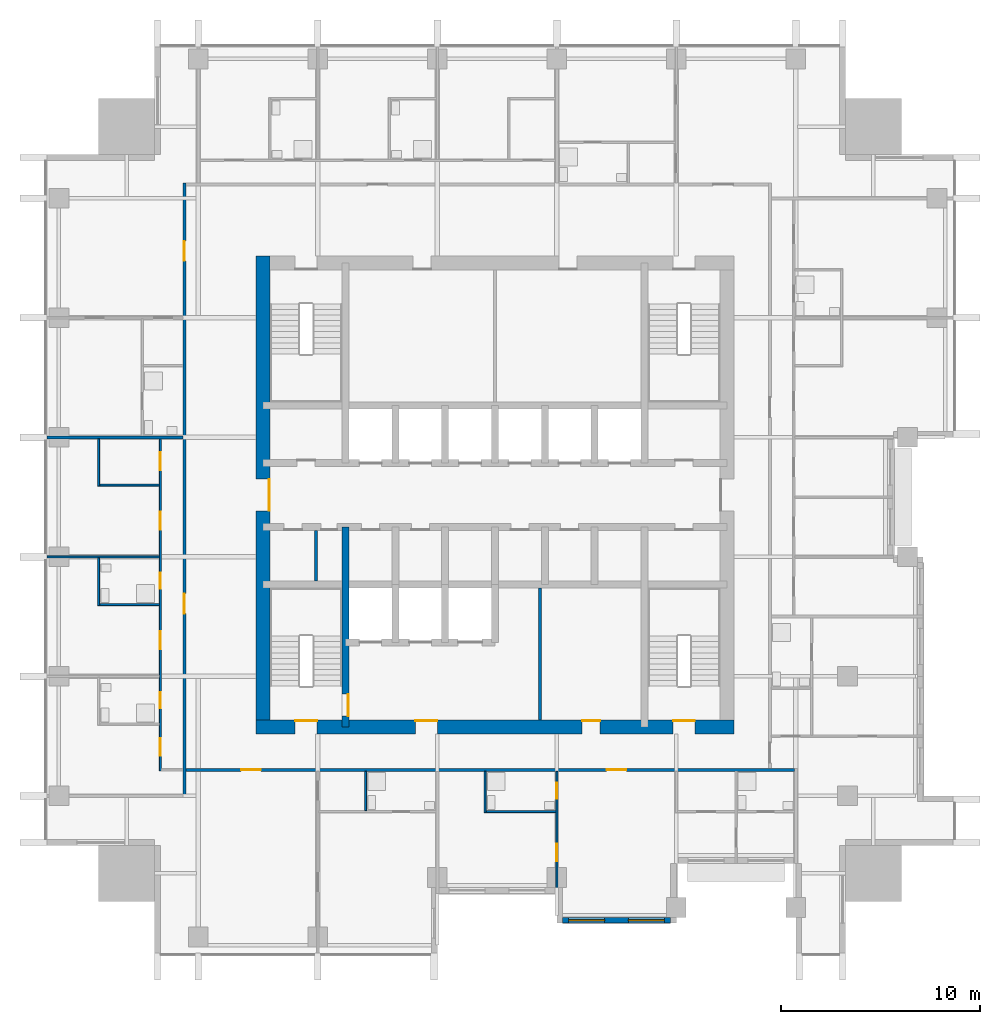
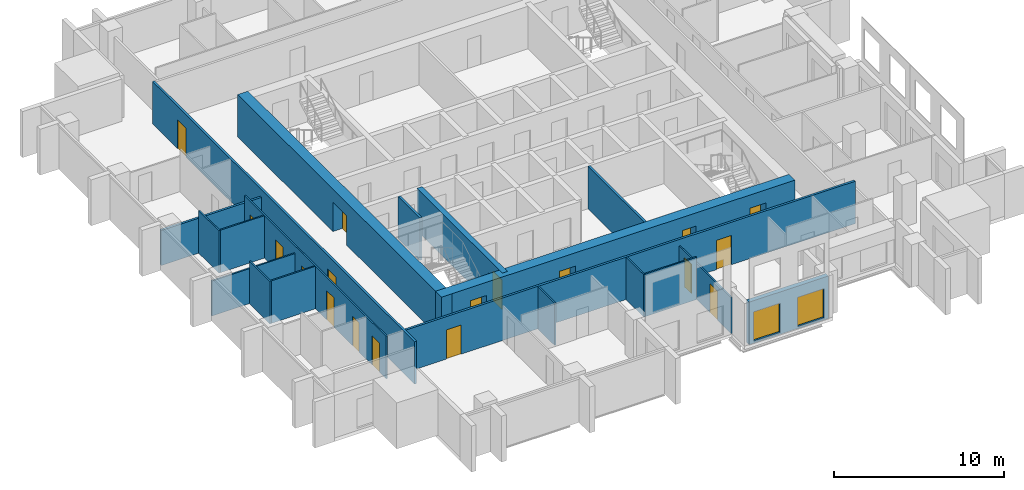
# One storey, part 4 of 11: 19 walls, 18 doors, 2 windows, 20 openings.
"""IFC4 building model written with IfcOpenShell, lengths in metres."""

from ifc_helpers import new_model, si_unit, direction, frame, frame_2d, origin, place, context, subcontext, project, spatial, rectangle, extrude, material, layer, layer_set, type_object, element, fill, save


model = new_model("IFC4")

# Units and contexts
model_context = context("Model", 3, precision=1e-05, world=origin(), true_north=direction((0.0, 1.0)))
body_context = subcontext(model_context, "Body", "Model", "MODEL_VIEW")
ifc_project = project(units=[si_unit("LENGTHUNIT", "METRE"), si_unit("AREAUNIT", "SQUARE_METRE"), si_unit("VOLUMEUNIT", "CUBIC_METRE"), si_unit("PLANEANGLEUNIT", "RADIAN"), si_unit("MASSUNIT", "GRAM", prefix="KILO")], contexts=[model_context])

# Site, building, storey
site_placement = place(None, origin())
site = spatial("IfcSite", under=ifc_project, at=site_placement, CompositionType="ELEMENT")
building_placement = place(site_placement, origin())
building = spatial("IfcBuilding", under=site, at=building_placement, Name="Amberfall Residences", CompositionType="ELEMENT")
storey_placement = place(building_placement, frame((0.0, 0.0, 171.39990234375)))
storey = spatial("IfcBuildingStorey", under=building, at=storey_placement, Name="L46", CompositionType="ELEMENT", Elevation=171.39990234375)

# Wall, openings, windows
ifc_material_1 = material(Name="Pale stone cladding on insulated backing", Category="masonry")
ifc_layer_1 = layer(ifc_material_1, 0.300048828125)
ifc_layer_set_1 = layer_set([ifc_layer_1], Name="Bronze clad wall 300")
wall_type_1 = type_object("IfcWallType", Name="Bronze clad wall 300", PredefinedType="SOLIDWALL", material=ifc_layer_set_1)
wall_1_placement = place(storey_placement, frame((77.89990234375, 24.14990234375, 0.0), z_axis=(0.0, 0.0, 1.0), x_axis=(1.0, 0.0, 0.0)))
wall_1 = element("IfcWall", 1, at=wall_1_placement, inside=storey, type_object=wall_type_1, Name="Stone wall L46 S", PredefinedType="SOLIDWALL", context=body_context, shape_type="SweptSolid", body=[
    extrude(rectangle(XDim=5.400146484375, YDim=0.300048828125, at=frame_2d((2.7001953125, 0.0))), origin(), (0.0, 0.0, 1.0), 3.050048828125),
])
opening_1_placement = place(wall_1_placement, frame((0.300048828125, 0.0, 0.14990234375)))
opening_1 = element("IfcOpeningElement", 2, at=opening_1_placement, cuts=wall_1, Name="Opening WN6", PredefinedType="OPENING", context=body_context, shape_type="SweptSolid", body=[
    extrude(rectangle(XDim=1.800048828125, YDim=2.10009765625, at=frame_2d((0.89990234375, 1.050048828125))), frame((0.0, 0.159912109375, 0.0), z_axis=(0.0, -1.0, 0.0), x_axis=(1.0, 0.0, 0.0)), (0.0, 0.0, 1.0), 0.320068359375),
])
opening_2_placement = place(wall_1_placement, frame((3.300048828125, 0.0, 0.14990234375)))
opening_2 = element("IfcOpeningElement", 3, at=opening_2_placement, cuts=wall_1, Name="Opening WN6", PredefinedType="OPENING", context=body_context, shape_type="SweptSolid", body=[
    extrude(rectangle(XDim=1.800048828125, YDim=2.10009765625, at=frame_2d((0.89990234375, 1.050048828125))), frame((0.0, 0.159912109375, 0.0), z_axis=(0.0, -1.0, 0.0), x_axis=(1.0, 0.0, 0.0)), (0.0, 0.0, 1.0), 0.320068359375),
])
ifc_material_2 = material(Name="Bronze aluminium framed glazing", Category="aluminium")
window_type = type_object("IfcWindowType", Name="Glazed opening 1800 x 2100 bronze", PartitioningType="DOUBLE_PANEL_VERTICAL", PredefinedType="WINDOW", material=ifc_material_2)
window_1_placement = place(opening_1_placement, origin())
window_1 = element("IfcWindow", 4, at=window_1_placement, inside=storey, type_object=window_type, Name="Window L46 S", OverallHeight=2.10009765625, OverallWidth=1.800048828125, PartitioningType="DOUBLE_PANEL_VERTICAL", PredefinedType="WINDOW", context=body_context, shape_type="SweptSolid", body=[
    extrude(rectangle(XDim=1.800048828125, YDim=2.10009765625, at=frame_2d((0.89990234375, 1.050048828125))), frame((0.0, 0.030029296875, 0.0), z_axis=(0.0, -1.0, 0.0), x_axis=(1.0, 0.0, 0.0)), (0.0, 0.0, 1.0), 0.06005859375),
])
fill(opening_1, window_1)
window_2_placement = place(opening_2_placement, origin())
window_2 = element("IfcWindow", 5, at=window_2_placement, inside=storey, type_object=window_type, Name="Window L46 S", OverallHeight=2.10009765625, OverallWidth=1.800048828125, PartitioningType="DOUBLE_PANEL_VERTICAL", PredefinedType="WINDOW", context=body_context, shape_type="SweptSolid", body=[
    extrude(rectangle(XDim=1.800048828125, YDim=2.10009765625, at=frame_2d((0.89990234375, 1.050048828125))), frame((0.0, 0.030029296875, 0.0), z_axis=(0.0, -1.0, 0.0), x_axis=(1.0, 0.0, 0.0)), (0.0, 0.0, 1.0), 0.06005859375),
])
fill(opening_2, window_2)

# Wall, opening, door
ifc_material_3 = material(Name="Concrete C60", Category="concrete")
ifc_layer_2 = layer(ifc_material_3, 0.35009765625)
ifc_layer_set_2 = layer_set([ifc_layer_2], Name="Core wall 350 C60")
wall_type_2 = type_object("IfcWallType", Name="Core wall 350 C60", PredefinedType="SHEAR", material=ifc_layer_set_2)
wall_2_placement = place(storey_placement, frame((67.0, 33.85009765625, 0.0), z_axis=(0.0, 0.0, 1.0), x_axis=(0.0, 1.0, 0.0)))
wall_2 = element("IfcWall", 6, at=wall_2_placement, inside=storey, type_object=wall_type_2, Name="Core wall RW6 L46 V45S", PredefinedType="SHEAR", context=body_context, shape_type="SweptSolid", body=[
    extrude(rectangle(XDim=10.0498046875, YDim=0.35009765625, at=frame_2d((5.02490234375, 0.0))), origin(), (0.0, 0.0, 1.0), 3.050048828125),
])
opening_3_placement = place(wall_2_placement, frame((0.550048828125, 0.0, 0.0)))
opening_3 = element("IfcOpeningElement", 7, at=opening_3_placement, cuts=wall_2, Name="Opening FL1", PredefinedType="OPENING", context=body_context, shape_type="SweptSolid", body=[
    extrude(rectangle(XDim=1.10009765625, YDim=2.10009765625, at=frame_2d((0.550048828125, 1.050048828125))), frame((0.0, 0.18505859375, 0.0), z_axis=(0.0, -1.0, 0.0), x_axis=(1.0, 0.0, 0.0)), (0.0, 0.0, 1.0), 0.3701171875),
])
ifc_material_4 = material(Name="Steel fire door set", Category="steel")
door_type_1 = type_object("IfcDoorType", Name="Firefighting lobby door 1100 x 2100", OperationType="SINGLE_SWING_LEFT", PredefinedType="DOOR", material=ifc_material_4)
door_1_placement = place(opening_3_placement, origin())
door_1 = element("IfcDoor", 8, at=door_1_placement, inside=storey, type_object=door_type_1, Name="FL1 L46", OperationType="SINGLE_SWING_RIGHT", OverallHeight=2.10009765625, OverallWidth=1.10009765625, PredefinedType="DOOR", context=body_context, shape_type="SweptSolid", body=[
    extrude(rectangle(XDim=1.10009765625, YDim=2.10009765625, at=frame_2d((0.550048828125, 1.050048828125))), frame((0.0, -0.1123046875, 0.0), z_axis=(0.0, -1.0, 0.0), x_axis=(1.0, 0.0, 0.0)), (0.0, 0.0, 1.0), 0.050048828125),
])
fill(opening_3, door_1)

# Wall, openings, doors
ifc_layer_3 = layer(ifc_material_3, 0.699951171875)
ifc_layer_set_3 = layer_set([ifc_layer_3], Name="Core wall 700 C60")
wall_type_3 = type_object("IfcWallType", Name="Core wall 700 C60", PredefinedType="SHEAR", material=ifc_layer_set_3)
wall_3_placement = place(storey_placement, frame((62.5, 33.85009765625, 0.0), z_axis=(0.0, 0.0, 1.0), x_axis=(1.0, 0.0, 0.0)))
wall_3 = element("IfcWall", 9, at=wall_3_placement, inside=storey, type_object=wall_type_3, Name="Core wall RW5 L46 OS", PredefinedType="SHEAR", context=body_context, shape_type="SweptSolid", body=[
    extrude(rectangle(XDim=24.0, YDim=0.699951171875, at=frame_2d((12.0, 0.0))), origin(), (0.0, 0.0, 1.0), 3.050048828125),
])
opening_4_placement = place(wall_3_placement, frame((1.96240234375, 0.0, 0.0)))
opening_4 = element("IfcOpeningElement", 10, at=opening_4_placement, cuts=wall_3, Name="Opening SD1", PredefinedType="OPENING", context=body_context, shape_type="SweptSolid", body=[
    extrude(rectangle(XDim=1.10009765625, YDim=2.10009765625, at=frame_2d((0.550048828125, 1.050048828125))), frame((0.0, 0.35986328125, 0.0), z_axis=(0.0, -1.0, 0.0), x_axis=(1.0, 0.0, 0.0)), (0.0, 0.0, 1.0), 0.719970703125),
])
opening_5_placement = place(wall_3_placement, frame((20.9375, 0.0, 0.0)))
opening_5 = element("IfcOpeningElement", 11, at=opening_5_placement, cuts=wall_3, Name="Opening SD1", PredefinedType="OPENING", context=body_context, shape_type="SweptSolid", body=[
    extrude(rectangle(XDim=1.10009765625, YDim=2.10009765625, at=frame_2d((0.550048828125, 1.050048828125))), frame((0.0, 0.35986328125, 0.0), z_axis=(0.0, -1.0, 0.0), x_axis=(1.0, 0.0, 0.0)), (0.0, 0.0, 1.0), 0.719970703125),
])
opening_6_placement = place(wall_3_placement, frame((8.0, 0.0, 0.0)))
opening_6 = element("IfcOpeningElement", 12, at=opening_6_placement, cuts=wall_3, Name="Opening FL1", PredefinedType="OPENING", context=body_context, shape_type="SweptSolid", body=[
    extrude(rectangle(XDim=1.10009765625, YDim=2.10009765625, at=frame_2d((0.550048828125, 1.050048828125))), frame((0.0, 0.35986328125, 0.0), z_axis=(0.0, -1.0, 0.0), x_axis=(1.0, 0.0, 0.0)), (0.0, 0.0, 1.0), 0.719970703125),
])
opening_7_placement = place(wall_3_placement, frame((16.375, 0.0, 0.0)))
opening_7 = element("IfcOpeningElement", 13, at=opening_7_placement, cuts=wall_3, Name="Opening RD1", PredefinedType="OPENING", context=body_context, shape_type="SweptSolid", body=[
    extrude(rectangle(XDim=0.89990234375, YDim=2.10009765625, at=frame_2d((0.449951171875, 1.050048828125))), frame((0.0, 0.35986328125, 0.0), z_axis=(0.0, -1.0, 0.0), x_axis=(1.0, 0.0, 0.0)), (0.0, 0.0, 1.0), 0.719970703125),
])
door_2_placement = place(opening_6_placement, origin())
door_2 = element("IfcDoor", 14, at=door_2_placement, inside=storey, type_object=door_type_1, Name="FL1 L46", OperationType="SINGLE_SWING_LEFT", OverallHeight=2.10009765625, OverallWidth=1.10009765625, PredefinedType="DOOR", context=body_context, shape_type="SweptSolid", body=[
    extrude(rectangle(XDim=1.10009765625, YDim=2.10009765625, at=frame_2d((0.550048828125, 1.050048828125))), frame((0.0, 0.33740234375, 0.0), z_axis=(0.0, -1.0, 0.0), x_axis=(1.0, 0.0, 0.0)), (0.0, 0.0, 1.0), 0.050048828125),
])
fill(opening_6, door_2)
door_type_2 = type_object("IfcDoorType", Name="Service room door 900 x 2100", OperationType="SINGLE_SWING_LEFT", PredefinedType="DOOR", material=ifc_material_4)
door_3_placement = place(opening_7_placement, origin())
door_3 = element("IfcDoor", 15, at=door_3_placement, inside=storey, type_object=door_type_2, Name="RD1 L46", OperationType="SINGLE_SWING_LEFT", OverallHeight=2.10009765625, OverallWidth=0.89990234375, PredefinedType="DOOR", context=body_context, shape_type="SweptSolid", body=[
    extrude(rectangle(XDim=0.89990234375, YDim=2.10009765625, at=frame_2d((0.449951171875, 1.050048828125))), frame((0.0, 0.33740234375, 0.0), z_axis=(0.0, -1.0, 0.0), x_axis=(1.0, 0.0, 0.0)), (0.0, 0.0, 1.0), 0.050048828125),
])
fill(opening_7, door_3)
door_type_3 = type_object("IfcDoorType", Name="Stair door 1100 x 2100", OperationType="SINGLE_SWING_LEFT", PredefinedType="DOOR", material=ifc_material_4)
door_4_placement = place(opening_4_placement, origin())
door_4 = element("IfcDoor", 16, at=door_4_placement, inside=storey, type_object=door_type_3, Name="SD1 L46", OperationType="SINGLE_SWING_LEFT", OverallHeight=2.10009765625, OverallWidth=1.10009765625, PredefinedType="DOOR", context=body_context, shape_type="SweptSolid", body=[
    extrude(rectangle(XDim=1.10009765625, YDim=2.10009765625, at=frame_2d((0.550048828125, 1.050048828125))), frame((0.0, 0.33740234375, 0.0), z_axis=(0.0, -1.0, 0.0), x_axis=(1.0, 0.0, 0.0)), (0.0, 0.0, 1.0), 0.050048828125),
])
fill(opening_4, door_4)
door_5_placement = place(opening_5_placement, origin())
door_5 = element("IfcDoor", 17, at=door_5_placement, inside=storey, type_object=door_type_3, Name="SD1 L46", OperationType="SINGLE_SWING_RIGHT", OverallHeight=2.10009765625, OverallWidth=1.10009765625, PredefinedType="DOOR", context=body_context, shape_type="SweptSolid", body=[
    extrude(rectangle(XDim=1.10009765625, YDim=2.10009765625, at=frame_2d((0.550048828125, 1.050048828125))), frame((0.0, 0.33740234375, 0.0), z_axis=(0.0, -1.0, 0.0), x_axis=(1.0, 0.0, 0.0)), (0.0, 0.0, 1.0), 0.050048828125),
])
fill(opening_5, door_5)

# Wall, opening, door
wall_4_placement = place(storey_placement, frame((62.85009765625, 33.5, 0.0), z_axis=(0.0, 0.0, 1.0), x_axis=(0.0, 1.0, 0.0)))
wall_4 = element("IfcWall", 18, at=wall_4_placement, inside=storey, type_object=wall_type_3, Name="Core wall RW5 L46 OW", PredefinedType="SHEAR", context=body_context, shape_type="SweptSolid", body=[
    extrude(rectangle(XDim=24.0, YDim=0.699951171875, at=frame_2d((12.0, 0.0))), origin(), (0.0, 0.0, 1.0), 3.050048828125),
])
opening_8_placement = place(wall_4_placement, frame((11.199951171875, 0.0, 0.0)))
opening_8 = element("IfcOpeningElement", 19, at=opening_8_placement, cuts=wall_4, Name="Opening LB1", PredefinedType="OPENING", context=body_context, shape_type="SweptSolid", body=[
    extrude(rectangle(XDim=1.60009765625, YDim=2.10009765625, at=frame_2d((0.800048828125, 1.050048828125))), frame((0.0, 0.35986328125, 0.0), z_axis=(0.0, -1.0, 0.0), x_axis=(1.0, 0.0, 0.0)), (0.0, 0.0, 1.0), 0.719970703125),
])
door_type_4 = type_object("IfcDoorType", Name="Lift lobby double door 1600 x 2100", OperationType="DOUBLE_DOOR_SINGLE_SWING", PredefinedType="DOOR", material=ifc_material_4)
door_6_placement = place(opening_8_placement, origin())
door_6 = element("IfcDoor", 20, at=door_6_placement, inside=storey, type_object=door_type_4, Name="LB1 L46", OperationType="DOUBLE_DOOR_SINGLE_SWING", OverallHeight=2.10009765625, OverallWidth=1.60009765625, PredefinedType="DOOR", context=body_context, shape_type="SweptSolid", body=[
    extrude(rectangle(XDim=1.60009765625, YDim=2.10009765625, at=frame_2d((0.800048828125, 1.050048828125))), frame((0.0, -0.28759765625, 0.0), z_axis=(0.0, -1.0, 0.0), x_axis=(1.0, 0.0, 0.0)), (0.0, 0.0, 1.0), 0.050048828125),
])
fill(opening_8, door_6)

# Walls
ifc_material_5 = material(Name="Gypsum board on metal stud")
ifc_layer_4 = layer(ifc_material_5, 0.10009765625)
ifc_layer_set_4 = layer_set([ifc_layer_4], Name="Flat partition 100")
wall_type_4 = type_object("IfcWallType", Name="Flat partition 100", PredefinedType="PARTITIONING", material=ifc_layer_set_4)
wall_5_placement = place(storey_placement, frame((54.60009765625, 39.949951171875, 0.0), z_axis=(0.0, 0.0, 1.0), x_axis=(0.0, 1.0, 0.0)))
element("IfcWall", 21, at=wall_5_placement, inside=storey, type_object=wall_type_4, Name="Partition 002", PredefinedType="PARTITIONING", context=body_context, shape_type="SweptSolid", body=[
    extrude(rectangle(XDim=2.400146484375, YDim=0.10009765625, at=frame_2d((1.2001953125, 0.0))), origin(), (0.0, 0.0, 1.0), 3.050048828125),
])
wall_6_placement = place(storey_placement, frame((54.60009765625, 45.949951171875, 0.0), z_axis=(0.0, 0.0, 1.0), x_axis=(0.0, 1.0, 0.0)))
element("IfcWall", 22, at=wall_6_placement, inside=storey, type_object=wall_type_4, Name="Partition 003", PredefinedType="PARTITIONING", context=body_context, shape_type="SweptSolid", body=[
    extrude(rectangle(XDim=2.375, YDim=0.10009765625, at=frame_2d((1.1875, 0.0))), origin(), (0.0, 0.0, 1.0), 3.050048828125),
])

# Wall, openings, doors
wall_7_placement = place(storey_placement, frame((57.699951171875, 31.64990234375, 0.0), z_axis=(0.0, 0.0, 1.0), x_axis=(0.0, 1.0, 0.0)))
wall_7 = element("IfcWall", 23, at=wall_7_placement, inside=storey, type_object=wall_type_4, Name="Partition 005", PredefinedType="PARTITIONING", context=body_context, shape_type="SweptSolid", body=[
    extrude(rectangle(XDim=16.675048828125, YDim=0.10009765625, at=frame_2d((8.33740234375, 0.0))), origin(), (0.0, 0.0, 1.0), 3.050048828125),
])
opening_9_placement = place(wall_7_placement, frame((12.10009765625, 0.0, 0.0)))
opening_9 = element("IfcOpeningElement", 24, at=opening_9_placement, cuts=wall_7, Name="Opening D41", PredefinedType="OPENING", context=body_context, shape_type="SweptSolid", body=[
    extrude(rectangle(XDim=0.89990234375, YDim=2.10009765625, at=frame_2d((0.449951171875, 1.050048828125))), frame((0.0, 0.06005859375, 0.0), z_axis=(0.0, -1.0, 0.0), x_axis=(1.0, 0.0, 0.0)), (0.0, 0.0, 1.0), 0.1201171875),
])
opening_10_placement = place(wall_7_placement, frame((15.10009765625, 0.0, 0.0)))
opening_10 = element("IfcOpeningElement", 25, at=opening_10_placement, cuts=wall_7, Name="Opening D41", PredefinedType="OPENING", context=body_context, shape_type="SweptSolid", body=[
    extrude(rectangle(XDim=0.89990234375, YDim=2.10009765625, at=frame_2d((0.449951171875, 1.050048828125))), frame((0.0, 0.06005859375, 0.0), z_axis=(0.0, -1.0, 0.0), x_axis=(1.0, 0.0, 0.0)), (0.0, 0.0, 1.0), 0.1201171875),
])
opening_11_placement = place(wall_7_placement, frame((0.75, 0.0, 0.0)))
opening_11 = element("IfcOpeningElement", 26, at=opening_11_placement, cuts=wall_7, Name="Opening D41", PredefinedType="OPENING", context=body_context, shape_type="SweptSolid", body=[
    extrude(rectangle(XDim=0.89990234375, YDim=2.10009765625, at=frame_2d((0.449951171875, 1.050048828125))), frame((0.0, 0.06005859375, 0.0), z_axis=(0.0, -1.0, 0.0), x_axis=(1.0, 0.0, 0.0)), (0.0, 0.0, 1.0), 0.1201171875),
])
opening_12_placement = place(wall_7_placement, frame((6.10009765625, 0.0, 0.0)))
opening_12 = element("IfcOpeningElement", 27, at=opening_12_placement, cuts=wall_7, Name="Opening D41", PredefinedType="OPENING", context=body_context, shape_type="SweptSolid", body=[
    extrude(rectangle(XDim=0.89990234375, YDim=2.10009765625, at=frame_2d((0.449951171875, 1.050048828125))), frame((0.0, 0.06005859375, 0.0), z_axis=(0.0, -1.0, 0.0), x_axis=(1.0, 0.0, 0.0)), (0.0, 0.0, 1.0), 0.1201171875),
])
opening_13_placement = place(wall_7_placement, frame((3.14990234375, 0.0, 0.0)))
opening_13 = element("IfcOpeningElement", 28, at=opening_13_placement, cuts=wall_7, Name="Opening D42", PredefinedType="OPENING", context=body_context, shape_type="SweptSolid", body=[
    extrude(rectangle(XDim=0.800048828125, YDim=2.10009765625, at=frame_2d((0.39990234375, 1.050048828125))), frame((0.0, 0.06005859375, 0.0), z_axis=(0.0, -1.0, 0.0), x_axis=(1.0, 0.0, 0.0)), (0.0, 0.0, 1.0), 0.1201171875),
])
opening_14_placement = place(wall_7_placement, frame((9.14990234375, 0.0, 0.0)))
opening_14 = element("IfcOpeningElement", 29, at=opening_14_placement, cuts=wall_7, Name="Opening D42", PredefinedType="OPENING", context=body_context, shape_type="SweptSolid", body=[
    extrude(rectangle(XDim=0.800048828125, YDim=2.10009765625, at=frame_2d((0.39990234375, 1.050048828125))), frame((0.0, 0.06005859375, 0.0), z_axis=(0.0, -1.0, 0.0), x_axis=(1.0, 0.0, 0.0)), (0.0, 0.0, 1.0), 0.1201171875),
])
ifc_material_6 = material(Name="Timber", Category="wood")
door_type_5 = type_object("IfcDoorType", Name="Bathroom door 800 x 2100", OperationType="SINGLE_SWING_LEFT", PredefinedType="DOOR", material=ifc_material_6)
door_7_placement = place(opening_13_placement, origin())
door_7 = element("IfcDoor", 30, at=door_7_placement, inside=storey, type_object=door_type_5, Name="Door 4607 bath1", OperationType="SINGLE_SWING_LEFT", OverallHeight=2.10009765625, OverallWidth=0.800048828125, PredefinedType="DOOR", context=body_context, shape_type="SweptSolid", body=[
    extrude(rectangle(XDim=0.800048828125, YDim=2.10009765625, at=frame_2d((0.39990234375, 1.050048828125))), frame((0.0, 0.02490234375, 0.0), z_axis=(0.0, -1.0, 0.0), x_axis=(1.0, 0.0, 0.0)), (0.0, 0.0, 1.0), 0.050048828125),
])
fill(opening_13, door_7)
door_8_placement = place(opening_14_placement, origin())
door_8 = element("IfcDoor", 31, at=door_8_placement, inside=storey, type_object=door_type_5, Name="Door 4607 bath2", OperationType="SINGLE_SWING_LEFT", OverallHeight=2.10009765625, OverallWidth=0.800048828125, PredefinedType="DOOR", context=body_context, shape_type="SweptSolid", body=[
    extrude(rectangle(XDim=0.800048828125, YDim=2.10009765625, at=frame_2d((0.39990234375, 1.050048828125))), frame((0.0, 0.02490234375, 0.0), z_axis=(0.0, -1.0, 0.0), x_axis=(1.0, 0.0, 0.0)), (0.0, 0.0, 1.0), 0.050048828125),
])
fill(opening_14, door_8)
door_type_6 = type_object("IfcDoorType", Name="Internal door 900 x 2100", OperationType="SINGLE_SWING_LEFT", PredefinedType="DOOR", material=ifc_material_6)
door_9_placement = place(opening_9_placement, origin())
door_9 = element("IfcDoor", 32, at=door_9_placement, inside=storey, type_object=door_type_6, Name="Door 4607 living", OperationType="SINGLE_SWING_LEFT", OverallHeight=2.10009765625, OverallWidth=0.89990234375, PredefinedType="DOOR", context=body_context, shape_type="SweptSolid", body=[
    extrude(rectangle(XDim=0.89990234375, YDim=2.10009765625, at=frame_2d((0.449951171875, 1.050048828125))), frame((0.0, 0.02490234375, 0.0), z_axis=(0.0, -1.0, 0.0), x_axis=(1.0, 0.0, 0.0)), (0.0, 0.0, 1.0), 0.050048828125),
])
fill(opening_9, door_9)
door_10_placement = place(opening_10_placement, origin())
door_10 = element("IfcDoor", 33, at=door_10_placement, inside=storey, type_object=door_type_6, Name="Door 4607 kitchen", OperationType="SINGLE_SWING_LEFT", OverallHeight=2.10009765625, OverallWidth=0.89990234375, PredefinedType="DOOR", context=body_context, shape_type="SweptSolid", body=[
    extrude(rectangle(XDim=0.89990234375, YDim=2.10009765625, at=frame_2d((0.449951171875, 1.050048828125))), frame((0.0, 0.02490234375, 0.0), z_axis=(0.0, -1.0, 0.0), x_axis=(1.0, 0.0, 0.0)), (0.0, 0.0, 1.0), 0.050048828125),
])
fill(opening_10, door_10)
door_11_placement = place(opening_11_placement, origin())
door_11 = element("IfcDoor", 34, at=door_11_placement, inside=storey, type_object=door_type_6, Name="Door 4607 bedroom1", OperationType="SINGLE_SWING_LEFT", OverallHeight=2.10009765625, OverallWidth=0.89990234375, PredefinedType="DOOR", context=body_context, shape_type="SweptSolid", body=[
    extrude(rectangle(XDim=0.89990234375, YDim=2.10009765625, at=frame_2d((0.449951171875, 1.050048828125))), frame((0.0, 0.02490234375, 0.0), z_axis=(0.0, -1.0, 0.0), x_axis=(1.0, 0.0, 0.0)), (0.0, 0.0, 1.0), 0.050048828125),
])
fill(opening_11, door_11)
door_12_placement = place(opening_12_placement, origin())
door_12 = element("IfcDoor", 35, at=door_12_placement, inside=storey, type_object=door_type_6, Name="Door 4607 bedroom2", OperationType="SINGLE_SWING_LEFT", OverallHeight=2.10009765625, OverallWidth=0.89990234375, PredefinedType="DOOR", context=body_context, shape_type="SweptSolid", body=[
    extrude(rectangle(XDim=0.89990234375, YDim=2.10009765625, at=frame_2d((0.449951171875, 1.050048828125))), frame((0.0, 0.02490234375, 0.0), z_axis=(0.0, -1.0, 0.0), x_axis=(1.0, 0.0, 0.0)), (0.0, 0.0, 1.0), 0.050048828125),
])
fill(opening_12, door_12)

# Walls
wall_8_placement = place(storey_placement, frame((68.0, 29.64990234375, 0.0), z_axis=(0.0, 0.0, 1.0), x_axis=(0.0, 1.0, 0.0)))
element("IfcWall", 36, at=wall_8_placement, inside=storey, type_object=wall_type_4, Name="Partition 009", PredefinedType="PARTITIONING", context=body_context, shape_type="SweptSolid", body=[
    extrude(rectangle(XDim=1.97509765625, YDim=0.10009765625, at=frame_2d((0.987548828125, 0.0))), origin(), (0.0, 0.0, 1.0), 3.050048828125),
])
wall_9_placement = place(storey_placement, frame((74.0, 29.550048828125, 0.0), z_axis=(0.0, 0.0, 1.0), x_axis=(0.0, 1.0, 0.0)))
element("IfcWall", 37, at=wall_9_placement, inside=storey, type_object=wall_type_4, Name="Partition 012", PredefinedType="PARTITIONING", context=body_context, shape_type="SweptSolid", body=[
    extrude(rectangle(XDim=2.074951171875, YDim=0.10009765625, at=frame_2d((1.03759765625, 0.0))), origin(), (0.0, 0.0, 1.0), 3.050048828125),
])

# Wall, openings, doors
wall_10_placement = place(storey_placement, frame((77.60009765625, 25.5, 0.0), z_axis=(0.0, 0.0, 1.0), x_axis=(0.0, 1.0, 0.0)))
wall_10 = element("IfcWall", 38, at=wall_10_placement, inside=storey, type_object=wall_type_4, Name="Partition 014", PredefinedType="PARTITIONING", context=body_context, shape_type="SweptSolid", body=[
    extrude(rectangle(XDim=6.125, YDim=0.10009765625, at=frame_2d((3.0625, 0.0))), origin(), (0.0, 0.0, 1.0), 2.590087890625),
])
opening_15_placement = place(wall_10_placement, frame((1.60009765625, 0.0, 0.0)))
opening_15 = element("IfcOpeningElement", 39, at=opening_15_placement, cuts=wall_10, Name="Opening D41", PredefinedType="OPENING", context=body_context, shape_type="SweptSolid", body=[
    extrude(rectangle(XDim=0.89990234375, YDim=2.10009765625, at=frame_2d((0.449951171875, 1.050048828125))), frame((0.0, 0.06005859375, 0.0), z_axis=(0.0, -1.0, 0.0), x_axis=(1.0, 0.0, 0.0)), (0.0, 0.0, 1.0), 0.1201171875),
])
opening_16_placement = place(wall_10_placement, frame((4.75, 0.0, 0.0)))
opening_16 = element("IfcOpeningElement", 40, at=opening_16_placement, cuts=wall_10, Name="Opening D42", PredefinedType="OPENING", context=body_context, shape_type="SweptSolid", body=[
    extrude(rectangle(XDim=0.800048828125, YDim=2.10009765625, at=frame_2d((0.39990234375, 1.050048828125))), frame((0.0, 0.06005859375, 0.0), z_axis=(0.0, -1.0, 0.0), x_axis=(1.0, 0.0, 0.0)), (0.0, 0.0, 1.0), 0.1201171875),
])
door_13_placement = place(opening_16_placement, origin())
door_13 = element("IfcDoor", 41, at=door_13_placement, inside=storey, type_object=door_type_5, Name="Door 4602 bath1", OperationType="SINGLE_SWING_LEFT", OverallHeight=2.10009765625, OverallWidth=0.800048828125, PredefinedType="DOOR", context=body_context, shape_type="SweptSolid", body=[
    extrude(rectangle(XDim=0.800048828125, YDim=2.10009765625, at=frame_2d((0.39990234375, 1.050048828125))), frame((0.0, 0.02490234375, 0.0), z_axis=(0.0, -1.0, 0.0), x_axis=(1.0, 0.0, 0.0)), (0.0, 0.0, 1.0), 0.050048828125),
])
fill(opening_16, door_13)
door_14_placement = place(opening_15_placement, origin())
door_14 = element("IfcDoor", 42, at=door_14_placement, inside=storey, type_object=door_type_6, Name="Door 4602 bedroom1", OperationType="SINGLE_SWING_LEFT", OverallHeight=2.10009765625, OverallWidth=0.89990234375, PredefinedType="DOOR", context=body_context, shape_type="SweptSolid", body=[
    extrude(rectangle(XDim=0.89990234375, YDim=2.10009765625, at=frame_2d((0.449951171875, 1.050048828125))), frame((0.0, 0.02490234375, 0.0), z_axis=(0.0, -1.0, 0.0), x_axis=(1.0, 0.0, 0.0)), (0.0, 0.0, 1.0), 0.050048828125),
])
fill(opening_15, door_14)

# Walls
wall_11_placement = place(storey_placement, frame((54.64990234375, 46.0, 0.0), z_axis=(0.0, 0.0, 1.0), x_axis=(1.0, 0.0, 0.0)))
element("IfcWall", 43, at=wall_11_placement, inside=storey, type_object=wall_type_4, Name="Partition 033", PredefinedType="PARTITIONING", context=body_context, shape_type="SweptSolid", body=[
    extrude(rectangle(XDim=3.0, YDim=0.10009765625, at=frame_2d((1.5, 0.0))), origin(), (0.0, 0.0, 1.0), 3.050048828125),
])
wall_12_placement = place(storey_placement, frame((52.0, 42.39990234375, 0.0), z_axis=(0.0, 0.0, 1.0), x_axis=(1.0, 0.0, 0.0)))
element("IfcWall", 44, at=wall_12_placement, inside=storey, type_object=wall_type_4, Name="Partition 035", PredefinedType="PARTITIONING", context=body_context, shape_type="SweptSolid", body=[
    extrude(rectangle(XDim=5.64990234375, YDim=0.10009765625, at=frame_2d((2.824951171875, 0.0))), origin(), (0.0, 0.0, 1.0), 2.51611328125),
])
wall_13_placement = place(storey_placement, frame((54.64990234375, 40.0, 0.0), z_axis=(0.0, 0.0, 1.0), x_axis=(1.0, 0.0, 0.0)))
element("IfcWall", 45, at=wall_13_placement, inside=storey, type_object=wall_type_4, Name="Partition 037", PredefinedType="PARTITIONING", context=body_context, shape_type="SweptSolid", body=[
    extrude(rectangle(XDim=3.0, YDim=0.10009765625, at=frame_2d((1.5, 0.0))), origin(), (0.0, 0.0, 1.0), 3.050048828125),
])
wall_14_placement = place(storey_placement, frame((74.050048828125, 29.60009765625, 0.0), z_axis=(0.0, 0.0, 1.0), x_axis=(1.0, 0.0, 0.0)))
element("IfcWall", 46, at=wall_14_placement, inside=storey, type_object=wall_type_4, Name="Partition 044", PredefinedType="PARTITIONING", context=body_context, shape_type="SweptSolid", body=[
    extrude(rectangle(XDim=3.5, YDim=0.10009765625, at=frame_2d((1.75, 0.0))), origin(), (0.0, 0.0, 1.0), 3.050048828125),
])

# Wall, openings, doors
ifc_material_7 = material(Name="Blockwork, plastered", Category="masonry")
ifc_layer_5 = layer(ifc_material_7, 0.14990234375)
ifc_layer_set_5 = layer_set([ifc_layer_5], Name="Flat separating wall 150")
wall_type_5 = type_object("IfcWallType", Name="Flat separating wall 150", PredefinedType="PARTITIONING", material=ifc_layer_set_5)
wall_15_placement = place(storey_placement, frame((58.89990234375, 30.324951171875, 0.0), z_axis=(0.0, 0.0, 1.0), x_axis=(0.0, 1.0, 0.0)))
wall_15 = element("IfcWall", 47, at=wall_15_placement, inside=storey, type_object=wall_type_5, Name="Separating wall 046", PredefinedType="PARTITIONING", context=body_context, shape_type="SweptSolid", body=[
    extrude(rectangle(XDim=30.85009765625, YDim=0.14990234375, at=frame_2d((15.425048828125, 0.0))), origin(), (0.0, 0.0, 1.0), 3.050048828125),
])
opening_17_placement = place(wall_15_placement, frame((9.22509765625, 0.0, 0.0)))
opening_17 = element("IfcOpeningElement", 48, at=opening_17_placement, cuts=wall_15, Name="Opening D40", PredefinedType="OPENING", context=body_context, shape_type="SweptSolid", body=[
    extrude(rectangle(XDim=1.0, YDim=2.10009765625, at=frame_2d((0.5, 1.050048828125))), frame((0.0, 0.0849609375, 0.0), z_axis=(0.0, -1.0, 0.0), x_axis=(1.0, 0.0, 0.0)), (0.0, 0.0, 1.0), 0.169921875),
])
opening_18_placement = place(wall_15_placement, frame((26.925048828125, 0.0, 0.0)))
opening_18 = element("IfcOpeningElement", 49, at=opening_18_placement, cuts=wall_15, Name="Opening D40", PredefinedType="OPENING", context=body_context, shape_type="SweptSolid", body=[
    extrude(rectangle(XDim=1.0, YDim=2.10009765625, at=frame_2d((0.5, 1.050048828125))), frame((0.0, 0.0849609375, 0.0), z_axis=(0.0, -1.0, 0.0), x_axis=(1.0, 0.0, 0.0)), (0.0, 0.0, 1.0), 0.169921875),
])
ifc_material_8 = material(Name="Timber, fire-rated", Category="wood")
door_type_7 = type_object("IfcDoorType", Name="Flat entrance door FD60 1000 x 2100", OperationType="SINGLE_SWING_LEFT", PredefinedType="DOOR", material=ifc_material_8)
door_15_placement = place(opening_17_placement, origin())
door_15 = element("IfcDoor", 50, at=door_15_placement, inside=storey, type_object=door_type_7, Name="Door 4607 entrance", OperationType="SINGLE_SWING_LEFT", OverallHeight=2.10009765625, OverallWidth=1.0, PredefinedType="DOOR", context=body_context, shape_type="SweptSolid", body=[
    extrude(rectangle(XDim=1.0, YDim=2.10009765625, at=frame_2d((0.5, 1.050048828125))), frame((0.0, 0.02490234375, 0.0), z_axis=(0.0, -1.0, 0.0), x_axis=(1.0, 0.0, 0.0)), (0.0, 0.0, 1.0), 0.050048828125),
])
fill(opening_17, door_15)
door_16_placement = place(opening_18_placement, origin())
door_16 = element("IfcDoor", 51, at=door_16_placement, inside=storey, type_object=door_type_7, Name="Door 4608 entrance", OperationType="SINGLE_SWING_LEFT", OverallHeight=2.10009765625, OverallWidth=1.0, PredefinedType="DOOR", context=body_context, shape_type="SweptSolid", body=[
    extrude(rectangle(XDim=1.0, YDim=2.10009765625, at=frame_2d((0.5, 1.050048828125))), frame((0.0, 0.02490234375, 0.0), z_axis=(0.0, -1.0, 0.0), x_axis=(1.0, 0.0, 0.0)), (0.0, 0.0, 1.0), 0.050048828125),
])
fill(opening_18, door_16)

# Wall
wall_16_placement = place(storey_placement, frame((52.0, 48.39990234375, 0.0), z_axis=(0.0, 0.0, 1.0), x_axis=(1.0, 0.0, 0.0)))
element("IfcWall", 52, at=wall_16_placement, inside=storey, type_object=wall_type_5, Name="Separating wall 054", PredefinedType="PARTITIONING", context=body_context, shape_type="SweptSolid", body=[
    extrude(rectangle(XDim=6.824951171875, YDim=0.14990234375, at=frame_2d((3.41259765625, 0.0))), origin(), (0.0, 0.0, 1.0), 2.51611328125),
])

# Wall, openings, doors
wall_17_placement = place(storey_placement, frame((89.52490234375, 31.699951171875, 0.0), z_axis=(0.0, 0.0, 1.0), x_axis=(-1.0, 0.0, 0.0)))
wall_17 = element("IfcWall", 53, at=wall_17_placement, inside=storey, type_object=wall_type_5, Name="Separating wall 056", PredefinedType="PARTITIONING", context=body_context, shape_type="SweptSolid", body=[
    extrude(rectangle(XDim=30.5498046875, YDim=0.14990234375, at=frame_2d((15.27490234375, 0.0))), origin(), (0.0, 0.0, 1.0), 3.050048828125),
])
opening_19_placement = place(wall_17_placement, frame((26.77490234375, 0.0, 0.0)))
opening_19 = element("IfcOpeningElement", 54, at=opening_19_placement, cuts=wall_17, Name="Opening D40", PredefinedType="OPENING", context=body_context, shape_type="SweptSolid", body=[
    extrude(rectangle(XDim=1.0, YDim=2.10009765625, at=frame_2d((0.5, 1.050048828125))), frame((0.0, 0.0849609375, 0.0), z_axis=(0.0, -1.0, 0.0), x_axis=(1.0, 0.0, 0.0)), (0.0, 0.0, 1.0), 0.169921875),
])
opening_20_placement = place(wall_17_placement, frame((8.425048828125, 0.0, 0.0)))
opening_20 = element("IfcOpeningElement", 55, at=opening_20_placement, cuts=wall_17, Name="Opening D40", PredefinedType="OPENING", context=body_context, shape_type="SweptSolid", body=[
    extrude(rectangle(XDim=1.0, YDim=2.10009765625, at=frame_2d((0.5, 1.050048828125))), frame((0.0, 0.0849609375, 0.0), z_axis=(0.0, -1.0, 0.0), x_axis=(1.0, 0.0, 0.0)), (0.0, 0.0, 1.0), 0.169921875),
])
door_17_placement = place(opening_19_placement, origin())
door_17 = element("IfcDoor", 56, at=door_17_placement, inside=storey, type_object=door_type_7, Name="Door 4601 entrance", OperationType="SINGLE_SWING_LEFT", OverallHeight=2.10009765625, OverallWidth=1.0, PredefinedType="DOOR", context=body_context, shape_type="SweptSolid", body=[
    extrude(rectangle(XDim=1.0, YDim=2.10009765625, at=frame_2d((0.5, 1.050048828125))), frame((0.0, 0.02490234375, 0.0), z_axis=(0.0, -1.0, 0.0), x_axis=(1.0, 0.0, 0.0)), (0.0, 0.0, 1.0), 0.050048828125),
])
fill(opening_19, door_17)
door_18_placement = place(opening_20_placement, origin())
door_18 = element("IfcDoor", 57, at=door_18_placement, inside=storey, type_object=door_type_7, Name="Door 4602 entrance", OperationType="SINGLE_SWING_LEFT", OverallHeight=2.10009765625, OverallWidth=1.0, PredefinedType="DOOR", context=body_context, shape_type="SweptSolid", body=[
    extrude(rectangle(XDim=1.0, YDim=2.10009765625, at=frame_2d((0.5, 1.050048828125))), frame((0.0, 0.02490234375, 0.0), z_axis=(0.0, -1.0, 0.0), x_axis=(1.0, 0.0, 0.0)), (0.0, 0.0, 1.0), 0.050048828125),
])
fill(opening_20, door_18)

# Walls
ifc_material_9 = material(Name="Concrete blockwork", Category="masonry")
ifc_layer_6 = layer(ifc_material_9, 0.14990234375)
ifc_layer_set_6 = layer_set([ifc_layer_6], Name="Riser wall 150")
wall_type_6 = type_object("IfcWallType", Name="Riser wall 150", PredefinedType="PLUMBINGWALL", material=ifc_layer_set_6)
wall_18_placement = place(storey_placement, frame((76.75, 34.199951171875, 0.0), z_axis=(0.0, 0.0, 1.0), x_axis=(0.0, 1.0, 0.0)))
element("IfcWall", 58, at=wall_18_placement, inside=storey, type_object=wall_type_6, Name="L46 core wall PX", PredefinedType="PLUMBINGWALL", context=body_context, shape_type="SweptSolid", body=[
    extrude(rectangle(XDim=6.625, YDim=0.14990234375, at=frame_2d((3.3125, 0.0))), origin(), (0.0, 0.0, 1.0), 3.050048828125),
])
wall_19_placement = place(storey_placement, frame((65.52001953125, 41.175048828125, 0.0), z_axis=(0.0, 0.0, 1.0), x_axis=(0.0, 1.0, 0.0)))
element("IfcWall", 59, at=wall_19_placement, inside=storey, type_object=wall_type_6, Name="L46 core wall ASW0", PredefinedType="PLUMBINGWALL", context=body_context, shape_type="SweptSolid", body=[
    extrude(rectangle(XDim=2.550048828125, YDim=0.14990234375, at=frame_2d((1.27490234375, 0.0))), origin(), (0.0, 0.0, 1.0), 3.050048828125),
])

save(model, "model.ifc")
